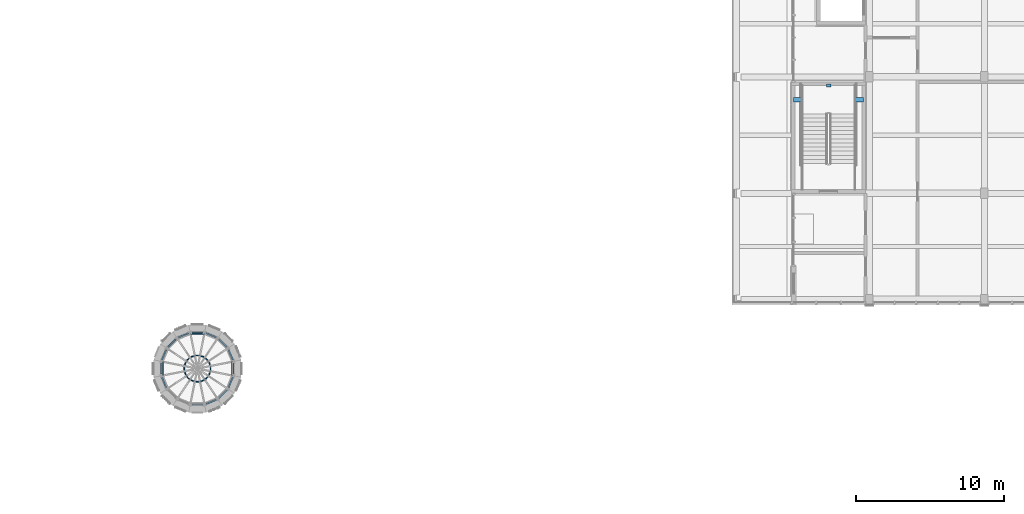
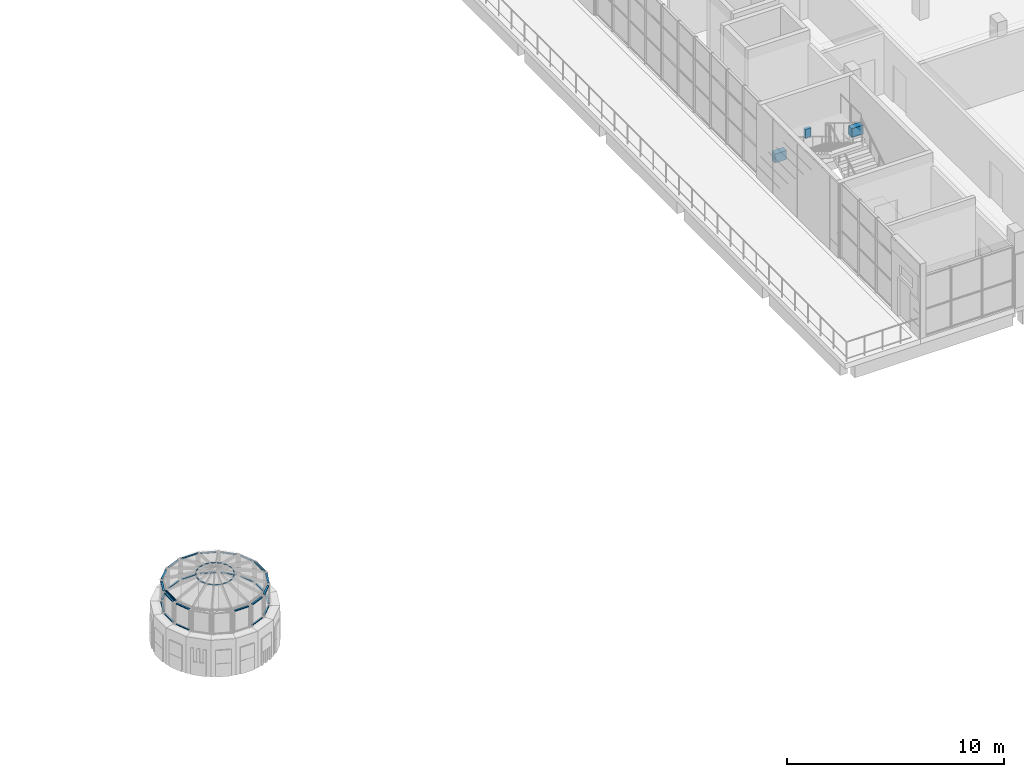
# One storey, part 17 of 36: 46 members, 3 beams, 14 elements without a shape of their own.
"""IFC4 building model written with IfcOpenShell, lengths in metres."""

import ifcopenshell
import ifcopenshell.guid

model = None  # the IFC model being written
_history = None  # IfcOwnerHistory: only IFC2X3 demands one
_inside = {}  # id of a spatial element -> (the spatial element, [elements in it])
_under = {}  # id of a project, library or spatial element -> (it, [spatial elements below it])
_declared = {}  # id of a project -> (the project, [libraries it declares])
_typed = {}  # id of a type object -> (the type object, [elements of that type])
_made_of = {}  # id of a material, layer set ... -> (it, [elements and type objects made of it])


def new_model(schema):
    """Start an empty IFC model of exactly this schema.

    Asked for "IFC4X3", IfcOpenShell would pick the latest addendum, in which some entities
    have other attributes; the version numbers below select the first issue.
    IFC2X3 requires an IfcOwnerHistory on every rooted entity: one is made here for all.
    """
    global model, _history
    if schema == "IFC4X3":
        model = ifcopenshell.file(schema_version=(4, 3, 0, 0))
    else:
        model = ifcopenshell.file(schema=schema)
    _inside.clear()
    _under.clear()
    _declared.clear()
    _typed.clear()
    _made_of.clear()
    _history = None
    if model.schema == "IFC2X3":
        org = make("IfcOrganization", Name="unknown")
        user = make(
            "IfcPersonAndOrganization",
            ThePerson=make("IfcPerson", FamilyName="unknown"),
            TheOrganization=org,
        )
        app = make(
            "IfcApplication",
            ApplicationDeveloper=org,
            Version="unknown",
            ApplicationFullName="unknown",
            ApplicationIdentifier="unknown",
        )
        _history = make(
            "IfcOwnerHistory",
            OwningUser=user,
            OwningApplication=app,
            ChangeAction="ADDED",
            CreationDate=0,
        )
    return model


def make(cls, **values):
    """One entity of the class cls with the attributes given. An attribute that is None is left unset."""
    return model.create_entity(
        cls, **{name: value for name, value in values.items() if value is not None}
    )


def rooted(cls, **values):
    """An entity with a GlobalId (a new one), such as an element, a storey or a relation."""
    return make(cls, GlobalId=ifcopenshell.guid.new(), OwnerHistory=_history, **values)


def si_unit(unit_type, name, prefix=None):
    """IfcSIUnit, for example si_unit("LENGTHUNIT", "METRE", prefix="MILLI")."""
    return make("IfcSIUnit", UnitType=unit_type, Prefix=prefix, Name=name)


def assignment(units):
    """IfcUnitAssignment: the units of a project."""
    return None if units is None else make("IfcUnitAssignment", Units=units)


def point(xyz):
    """IfcCartesianPoint."""
    return None if xyz is None else make("IfcCartesianPoint", Coordinates=xyz)


def direction(xyz):
    """IfcDirection."""
    return None if xyz is None else make("IfcDirection", DirectionRatios=xyz)


def frame(location, z_axis=None, x_axis=None):
    """IfcAxis2Placement3D, a coordinate frame: its origin and axes. An axis left out is left unset."""
    return make(
        "IfcAxis2Placement3D",
        Location=point(location),
        Axis=direction(z_axis),
        RefDirection=direction(x_axis),
    )


def frame_2d(location, x_axis=None):
    """IfcAxis2Placement2D, a coordinate frame in the plane: its origin and x axis."""
    return make(
        "IfcAxis2Placement2D", Location=point(location), RefDirection=direction(x_axis)
    )


def origin():
    """The frame at (0, 0, 0) with its axes left unset."""
    return frame((0.0, 0.0, 0.0))


def origin_2d():
    """The frame at (0, 0) in the plane with its x axis left unset."""
    return frame_2d((0.0, 0.0))


def place(relative_to, where):
    """IfcLocalPlacement: puts the frame where relative to a parent placement (None: the world)."""
    return make(
        "IfcLocalPlacement", PlacementRelTo=relative_to, RelativePlacement=where
    )


def context(
    kind, dimensions, precision=None, world=None, true_north=None, identifier=None
):
    """IfcGeometricRepresentationContext, for example the 3D "Model" context."""
    return make(
        "IfcGeometricRepresentationContext",
        ContextIdentifier=identifier,
        ContextType=kind,
        CoordinateSpaceDimension=dimensions,
        Precision=precision,
        WorldCoordinateSystem=world,
        TrueNorth=true_north,
    )


def subcontext(parent, identifier, kind, view, scale=None):
    """IfcGeometricRepresentationSubContext, for example "Body" below "Model"."""
    return make(
        "IfcGeometricRepresentationSubContext",
        ContextIdentifier=identifier,
        ContextType=kind,
        ParentContext=parent,
        TargetScale=scale,
        TargetView=view,
    )


def project(units=None, contexts=None):
    """IfcProject with its units and contexts."""
    return rooted(
        "IfcProject",
        Name="project",
        RepresentationContexts=contexts,
        UnitsInContext=assignment(units),
    )


def spatial(cls, under=None, at=None, **own):
    """A site, building, storey or space (cls), placed at a placement, below another one or the project."""
    s = rooted(cls, ObjectPlacement=at, **own)
    if under is not None:
        _under.setdefault(under.id(), (under, []))[1].append(s)
    return s


def profile(cls, at=None, kind="AREA", **sizes):
    """A parametric profile (cls). Its sizes go by their IFC names, for example OverallWidth=200.0."""
    return make(cls, ProfileType=kind, Position=at, **sizes)


def rectangle(**sizes):
    """IfcRectangleProfileDef."""
    return profile("IfcRectangleProfileDef", **sizes)


def hollow_rectangle(**sizes):
    """IfcRectangleHollowProfileDef."""
    return profile("IfcRectangleHollowProfileDef", **sizes)


def hollow_circle(**sizes):
    """IfcCircleHollowProfileDef."""
    return profile("IfcCircleHollowProfileDef", **sizes)


def extrude(swept, where, along, depth):
    """IfcExtrudedAreaSolid: the profile swept, set in the frame where, extruded along a direction by depth."""
    return make(
        "IfcExtrudedAreaSolid",
        SweptArea=swept,
        Position=where,
        ExtrudedDirection=direction(along),
        Depth=depth,
    )


def shape(context_of_items, identifier, shape_type, items):
    """IfcShapeRepresentation: the items that make up one representation, for example the "Body"."""
    return make(
        "IfcShapeRepresentation",
        ContextOfItems=context_of_items,
        RepresentationIdentifier=identifier,
        RepresentationType=shape_type,
        Items=items,
    )


def material(Name=None, Category=None):
    """IfcMaterial."""
    return make("IfcMaterial", Name=Name, Category=Category)


def material_profile(
    of_material, cross_section, Name=None, Category=None, Priority=None
):
    """IfcMaterialProfile: a cross section and its material."""
    return make(
        "IfcMaterialProfile",
        Name=Name,
        Material=of_material,
        Profile=cross_section,
        Priority=Priority,
        Category=Category,
    )


def profile_set(profiles, Name=None, composite=None):
    """IfcMaterialProfileSet."""
    return make(
        "IfcMaterialProfileSet",
        Name=Name,
        MaterialProfiles=profiles,
        CompositeProfile=composite,
    )


def made_of(thing, what):
    """Note that an element or type object is made of a material, layer set ...; save() writes the relation."""
    if what is not None:
        _made_of.setdefault(what.id(), (what, []))[1].append(thing)
    return thing


def type_object(cls, material=None, **own):
    """A type object (cls), such as IfcWallType, which elements share."""
    return made_of(rooted(cls, **own), material)


def element(
    cls,
    number,
    at=None,
    inside=None,
    cuts=None,
    type_object=None,
    material=None,
    context=None,
    identifier="Body",
    shape_type=None,
    held_by="IfcProductDefinitionShape",
    body=None,
    shapes=None,
    **own,
):
    """One element of the class cls, such as IfcWall. Its Tag is "e" and its number.

    at: its placement. inside: the storey or other place that contains it. cuts: it is an
    opening in that element (IfcRelVoidsElement). A single representation is given by context,
    identifier, shape_type and body (its items); several are given by shapes. held_by: the class
    of the entity that holds the representations. save() writes the other relations.
    """
    e = rooted(cls, Tag="e%d" % number, ObjectPlacement=at, **own)
    if body is not None:
        shapes = [shape(context, identifier, shape_type, body)]
    if shapes is not None:
        e.Representation = make(held_by, Representations=shapes)
    if inside is not None:
        _inside.setdefault(inside.id(), (inside, []))[1].append(e)
    if cuts is not None:
        rooted(
            "IfcRelVoidsElement", RelatingBuildingElement=cuts, RelatedOpeningElement=e
        )
    if type_object is not None:
        _typed.setdefault(type_object.id(), (type_object, []))[1].append(e)
    return made_of(e, material)


def aggregate(whole, parts):
    """IfcRelAggregates: a whole, such as a stair, and the parts it consists of."""
    return rooted("IfcRelAggregates", RelatingObject=whole, RelatedObjects=parts)


def save(model, path):
    """Write the relations noted so far, then the file.

    IfcRelAggregates (storeys below a building ...), IfcRelContainedInSpatialStructure (elements
    in a storey), IfcRelDefinesByType, IfcRelAssociatesMaterial and IfcRelDeclares: one each for
    every whole, place, type object, material and project.
    """
    for whole, parts in _under.values():
        aggregate(whole, parts)
    for where, things in _inside.values():
        rooted(
            "IfcRelContainedInSpatialStructure",
            RelatedElements=things,
            RelatingStructure=where,
        )
    for kind, things in _typed.values():
        rooted("IfcRelDefinesByType", RelatedObjects=things, RelatingType=kind)
    for what, things in _made_of.values():
        rooted("IfcRelAssociatesMaterial", RelatedObjects=things, RelatingMaterial=what)
    for by, libraries in _declared.values():
        rooted("IfcRelDeclares", RelatingContext=by, RelatedDefinitions=libraries)
    model.write(path)


model = new_model("IFC4")

# Units and contexts
model_context = context("Model", 3, precision=1e-05, world=origin(), true_north=direction((0.0, 1.0)))
body_context = subcontext(model_context, "Body", "Model", "MODEL_VIEW")
ifc_project = project(units=[si_unit("LENGTHUNIT", "METRE"), si_unit("AREAUNIT", "SQUARE_METRE"), si_unit("VOLUMEUNIT", "CUBIC_METRE"), si_unit("PLANEANGLEUNIT", "RADIAN"), si_unit("MASSUNIT", "GRAM", prefix="KILO")], contexts=[model_context])

# Site, building, storey
site_placement = place(None, origin())
site = spatial("IfcSite", under=ifc_project, at=site_placement, CompositionType="ELEMENT")
building_placement = place(site_placement, origin())
building = spatial("IfcBuilding", under=site, at=building_placement, Name="Sun Court Science Centre", CompositionType="ELEMENT")
storey_placement = place(building_placement, frame((0.0, 0.0, 24.75)))
storey = spatial("IfcBuildingStorey", under=building, at=storey_placement, Name="L05", CompositionType="ELEMENT", Elevation=24.75)

# Curtain wall, members
ifc_material_1 = material(Name="Aluminium EN AW-6063 T6", Category="aluminium")
curtain_wall_type = type_object("IfcCurtainWallType", Name="Lantern clerestory curtain wall 1500", PredefinedType="NOTDEFINED", material=ifc_material_1)
curtain_wall_1_placement = place(storey_placement, origin())
curtain_wall_1 = element("IfcCurtainWall", 1, at=curtain_wall_1_placement, inside=storey, type_object=curtain_wall_type, Name="Curtain wall V2 C4 clerestory L05 01", PredefinedType="NOTDEFINED")
ifc_material_2 = material(Name="Aluminium EN AW-6063 T6", Category="aluminium")
ifc_material_profile_1 = material_profile(ifc_material_2, hollow_rectangle(XDim=0.050048828125, YDim=0.10009765625, WallThickness=0.00390625, InnerFilletRadius=0.00390625, OuterFilletRadius=0.006103515625, at=origin_2d()), Name="AL 50x100x4")
ifc_profile_set_1 = profile_set([ifc_material_profile_1], Name="Aluminium EN AW-6063 T6")
member_type_1 = type_object("IfcMemberType", Name="Curtain wall transom AL 50x100", PredefinedType="USERDEFINED", material=ifc_profile_set_1)
member_1_placement = place(storey_placement, frame((44.1015625, 25.477783203125, 1.77490234375), z_axis=(0.382771969167, -0.923842854397, 0.0), x_axis=(0.0, 0.0, 1.0)))
member_1 = element("IfcMember", 2, at=member_1_placement, type_object=member_type_1, Name="CW4-49 transom 1.1", ObjectType="TRANSOM", PredefinedType="USERDEFINED", context=body_context, shape_type="SweptSolid", body=[
    extrude(hollow_rectangle(XDim=0.050048828125, YDim=0.10009765625, WallThickness=0.00390625, InnerFilletRadius=0.00390625, OuterFilletRadius=0.006103515625, at=origin_2d()), origin(), (0.0, 0.0, 1.0), 0.752685546875),
])
member_2_placement = place(storey_placement, frame((44.1015625, 25.477783203125, 2.925048828125), z_axis=(0.382771969167, -0.923842854397, 0.0), x_axis=(0.0, 0.0, 1.0)))
member_2 = element("IfcMember", 3, at=member_2_placement, type_object=member_type_1, Name="CW4-49 transom 1.2", ObjectType="TRANSOM", PredefinedType="USERDEFINED", context=body_context, shape_type="SweptSolid", body=[
    extrude(hollow_rectangle(XDim=0.050048828125, YDim=0.10009765625, WallThickness=0.00390625, InnerFilletRadius=0.00390625, OuterFilletRadius=0.006103515625, at=origin_2d()), origin(), (0.0, 0.0, 1.0), 0.752685546875),
])
aggregate(curtain_wall_1, [member_1, member_2])

curtain_wall_2_placement = place(storey_placement, origin())
curtain_wall_2 = element("IfcCurtainWall", 4, at=curtain_wall_2_placement, inside=storey, type_object=curtain_wall_type, Name="Curtain wall V2 C4 clerestory L05 02", PredefinedType="NOTDEFINED")
member_3_placement = place(storey_placement, frame((43.45263671875, 26.184814453125, 1.77490234375), z_axis=(0.707106781187, -0.707106781187, 0.0), x_axis=(0.0, 0.0, 1.0)))
member_3 = element("IfcMember", 5, at=member_3_placement, type_object=member_type_1, Name="CW4-50 transom 1.1", ObjectType="TRANSOM", PredefinedType="USERDEFINED", context=body_context, shape_type="SweptSolid", body=[
    extrude(hollow_rectangle(XDim=0.050048828125, YDim=0.10009765625, WallThickness=0.00390625, InnerFilletRadius=0.00390625, OuterFilletRadius=0.006103515625, at=origin_2d()), origin(), (0.0, 0.0, 1.0), 0.752685546875),
])
member_4_placement = place(storey_placement, frame((43.45263671875, 26.184814453125, 2.925048828125), z_axis=(0.707106781187, -0.707106781187, 0.0), x_axis=(0.0, 0.0, 1.0)))
member_4 = element("IfcMember", 6, at=member_4_placement, type_object=member_type_1, Name="CW4-50 transom 1.2", ObjectType="TRANSOM", PredefinedType="USERDEFINED", context=body_context, shape_type="SweptSolid", body=[
    extrude(hollow_rectangle(XDim=0.050048828125, YDim=0.10009765625, WallThickness=0.00390625, InnerFilletRadius=0.00390625, OuterFilletRadius=0.006103515625, at=origin_2d()), origin(), (0.0, 0.0, 1.0), 0.752685546875),
])
aggregate(curtain_wall_2, [member_3, member_4])

curtain_wall_3_placement = place(storey_placement, origin())
curtain_wall_3 = element("IfcCurtainWall", 7, at=curtain_wall_3_placement, inside=storey, type_object=curtain_wall_type, Name="Curtain wall V2 C4 clerestory L05 03", PredefinedType="NOTDEFINED")
member_5_placement = place(storey_placement, frame((42.58251953125, 26.589599609375, 1.77490234375), z_axis=(0.923842854397, -0.382771969167, 0.0), x_axis=(0.0, 0.0, 1.0)))
member_5 = element("IfcMember", 8, at=member_5_placement, type_object=member_type_1, Name="CW4-51 transom 1.1", ObjectType="TRANSOM", PredefinedType="USERDEFINED", context=body_context, shape_type="SweptSolid", body=[
    extrude(hollow_rectangle(XDim=0.050048828125, YDim=0.10009765625, WallThickness=0.00390625, InnerFilletRadius=0.00390625, OuterFilletRadius=0.006103515625, at=origin_2d()), origin(), (0.0, 0.0, 1.0), 0.752685546875),
])
member_6_placement = place(storey_placement, frame((42.58251953125, 26.589599609375, 2.925048828125), z_axis=(0.923842854397, -0.382771969167, 0.0), x_axis=(0.0, 0.0, 1.0)))
member_6 = element("IfcMember", 9, at=member_6_placement, type_object=member_type_1, Name="CW4-51 transom 1.2", ObjectType="TRANSOM", PredefinedType="USERDEFINED", context=body_context, shape_type="SweptSolid", body=[
    extrude(hollow_rectangle(XDim=0.050048828125, YDim=0.10009765625, WallThickness=0.00390625, InnerFilletRadius=0.00390625, OuterFilletRadius=0.006103515625, at=origin_2d()), origin(), (0.0, 0.0, 1.0), 0.752685546875),
])
aggregate(curtain_wall_3, [member_5, member_6])

curtain_wall_4_placement = place(storey_placement, origin())
curtain_wall_4 = element("IfcCurtainWall", 10, at=curtain_wall_4_placement, inside=storey, type_object=curtain_wall_type, Name="Curtain wall V2 C4 clerestory L05 04", PredefinedType="NOTDEFINED")
member_7_placement = place(storey_placement, frame((41.623779296875, 26.630615234375, 1.77490234375), z_axis=(1.0, 0.0, 0.0), x_axis=(0.0, 0.0, 1.0)))
member_7 = element("IfcMember", 11, at=member_7_placement, type_object=member_type_1, Name="CW4-52 transom 1.1", ObjectType="TRANSOM", PredefinedType="USERDEFINED", context=body_context, shape_type="SweptSolid", body=[
    extrude(hollow_rectangle(XDim=0.050048828125, YDim=0.10009765625, WallThickness=0.00390625, InnerFilletRadius=0.00390625, OuterFilletRadius=0.006103515625, at=origin_2d()), origin(), (0.0, 0.0, 1.0), 0.75244140625),
])
member_8_placement = place(storey_placement, frame((41.623779296875, 26.630615234375, 2.925048828125), z_axis=(1.0, 0.0, 0.0), x_axis=(0.0, 0.0, 1.0)))
member_8 = element("IfcMember", 12, at=member_8_placement, type_object=member_type_1, Name="CW4-52 transom 1.2", ObjectType="TRANSOM", PredefinedType="USERDEFINED", context=body_context, shape_type="SweptSolid", body=[
    extrude(hollow_rectangle(XDim=0.050048828125, YDim=0.10009765625, WallThickness=0.00390625, InnerFilletRadius=0.00390625, OuterFilletRadius=0.006103515625, at=origin_2d()), origin(), (0.0, 0.0, 1.0), 0.75244140625),
])
aggregate(curtain_wall_4, [member_7, member_8])

curtain_wall_5_placement = place(storey_placement, origin())
curtain_wall_5 = element("IfcCurtainWall", 13, at=curtain_wall_5_placement, inside=storey, type_object=curtain_wall_type, Name="Curtain wall V2 C4 clerestory L05 05", PredefinedType="NOTDEFINED")
member_9_placement = place(storey_placement, frame((40.72216796875, 26.301513671875, 1.77490234375), z_axis=(0.923842854397, 0.382771969167, 0.0), x_axis=(0.0, 0.0, 1.0)))
member_9 = element("IfcMember", 14, at=member_9_placement, type_object=member_type_1, Name="CW4-53 transom 1.1", ObjectType="TRANSOM", PredefinedType="USERDEFINED", context=body_context, shape_type="SweptSolid", body=[
    extrude(hollow_rectangle(XDim=0.050048828125, YDim=0.10009765625, WallThickness=0.00390625, InnerFilletRadius=0.00390625, OuterFilletRadius=0.006103515625, at=origin_2d()), origin(), (0.0, 0.0, 1.0), 0.752685546875),
])
member_10_placement = place(storey_placement, frame((40.72216796875, 26.301513671875, 2.925048828125), z_axis=(0.923842854397, 0.382771969167, 0.0), x_axis=(0.0, 0.0, 1.0)))
member_10 = element("IfcMember", 15, at=member_10_placement, type_object=member_type_1, Name="CW4-53 transom 1.2", ObjectType="TRANSOM", PredefinedType="USERDEFINED", context=body_context, shape_type="SweptSolid", body=[
    extrude(hollow_rectangle(XDim=0.050048828125, YDim=0.10009765625, WallThickness=0.00390625, InnerFilletRadius=0.00390625, OuterFilletRadius=0.006103515625, at=origin_2d()), origin(), (0.0, 0.0, 1.0), 0.752685546875),
])
aggregate(curtain_wall_5, [member_9, member_10])

curtain_wall_6_placement = place(storey_placement, origin())
curtain_wall_6 = element("IfcCurtainWall", 16, at=curtain_wall_6_placement, inside=storey, type_object=curtain_wall_type, Name="Curtain wall V2 C4 clerestory L05 06", PredefinedType="NOTDEFINED")
member_11_placement = place(storey_placement, frame((40.01513671875, 25.652587890625, 1.77490234375), z_axis=(0.707106781187, 0.707106781187, 0.0), x_axis=(0.0, 0.0, 1.0)))
member_11 = element("IfcMember", 17, at=member_11_placement, type_object=member_type_1, Name="CW4-54 transom 1.1", ObjectType="TRANSOM", PredefinedType="USERDEFINED", context=body_context, shape_type="SweptSolid", body=[
    extrude(hollow_rectangle(XDim=0.050048828125, YDim=0.10009765625, WallThickness=0.00390625, InnerFilletRadius=0.00390625, OuterFilletRadius=0.006103515625, at=origin_2d()), origin(), (0.0, 0.0, 1.0), 0.752685546875),
])
member_12_placement = place(storey_placement, frame((40.01513671875, 25.652587890625, 2.925048828125), z_axis=(0.707106781187, 0.707106781187, 0.0), x_axis=(0.0, 0.0, 1.0)))
member_12 = element("IfcMember", 18, at=member_12_placement, type_object=member_type_1, Name="CW4-54 transom 1.2", ObjectType="TRANSOM", PredefinedType="USERDEFINED", context=body_context, shape_type="SweptSolid", body=[
    extrude(hollow_rectangle(XDim=0.050048828125, YDim=0.10009765625, WallThickness=0.00390625, InnerFilletRadius=0.00390625, OuterFilletRadius=0.006103515625, at=origin_2d()), origin(), (0.0, 0.0, 1.0), 0.752685546875),
])
aggregate(curtain_wall_6, [member_11, member_12])

curtain_wall_7_placement = place(storey_placement, origin())
curtain_wall_7 = element("IfcCurtainWall", 19, at=curtain_wall_7_placement, inside=storey, type_object=curtain_wall_type, Name="Curtain wall V2 C4 clerestory L05 07", PredefinedType="NOTDEFINED")
member_13_placement = place(storey_placement, frame((39.6103515625, 24.782470703125, 1.77490234375), z_axis=(0.382771969167, 0.923842854397, 0.0), x_axis=(0.0, 0.0, 1.0)))
member_13 = element("IfcMember", 20, at=member_13_placement, type_object=member_type_1, Name="CW4-55 transom 1.1", ObjectType="TRANSOM", PredefinedType="USERDEFINED", context=body_context, shape_type="SweptSolid", body=[
    extrude(hollow_rectangle(XDim=0.050048828125, YDim=0.10009765625, WallThickness=0.00390625, InnerFilletRadius=0.00390625, OuterFilletRadius=0.006103515625, at=origin_2d()), origin(), (0.0, 0.0, 1.0), 0.752685546875),
])
member_14_placement = place(storey_placement, frame((39.6103515625, 24.782470703125, 2.925048828125), z_axis=(0.382771969167, 0.923842854397, 0.0), x_axis=(0.0, 0.0, 1.0)))
member_14 = element("IfcMember", 21, at=member_14_placement, type_object=member_type_1, Name="CW4-55 transom 1.2", ObjectType="TRANSOM", PredefinedType="USERDEFINED", context=body_context, shape_type="SweptSolid", body=[
    extrude(hollow_rectangle(XDim=0.050048828125, YDim=0.10009765625, WallThickness=0.00390625, InnerFilletRadius=0.00390625, OuterFilletRadius=0.006103515625, at=origin_2d()), origin(), (0.0, 0.0, 1.0), 0.752685546875),
])
aggregate(curtain_wall_7, [member_13, member_14])

curtain_wall_8_placement = place(storey_placement, origin())
curtain_wall_8 = element("IfcCurtainWall", 22, at=curtain_wall_8_placement, inside=storey, type_object=curtain_wall_type, Name="Curtain wall V2 C4 clerestory L05 08", PredefinedType="NOTDEFINED")
member_15_placement = place(storey_placement, frame((39.5693359375, 23.82373046875, 1.77490234375), z_axis=(0.0, 1.0, 0.0), x_axis=(0.0, 0.0, 1.0)))
member_15 = element("IfcMember", 23, at=member_15_placement, type_object=member_type_1, Name="CW4-56 transom 1.1", ObjectType="TRANSOM", PredefinedType="USERDEFINED", context=body_context, shape_type="SweptSolid", body=[
    extrude(hollow_rectangle(XDim=0.050048828125, YDim=0.10009765625, WallThickness=0.00390625, InnerFilletRadius=0.00390625, OuterFilletRadius=0.006103515625, at=origin_2d()), origin(), (0.0, 0.0, 1.0), 0.752685546875),
])
member_16_placement = place(storey_placement, frame((39.5693359375, 23.82373046875, 2.925048828125), z_axis=(0.0, 1.0, 0.0), x_axis=(0.0, 0.0, 1.0)))
member_16 = element("IfcMember", 24, at=member_16_placement, type_object=member_type_1, Name="CW4-56 transom 1.2", ObjectType="TRANSOM", PredefinedType="USERDEFINED", context=body_context, shape_type="SweptSolid", body=[
    extrude(hollow_rectangle(XDim=0.050048828125, YDim=0.10009765625, WallThickness=0.00390625, InnerFilletRadius=0.00390625, OuterFilletRadius=0.006103515625, at=origin_2d()), origin(), (0.0, 0.0, 1.0), 0.752685546875),
])
aggregate(curtain_wall_8, [member_15, member_16])

curtain_wall_9_placement = place(storey_placement, origin())
curtain_wall_9 = element("IfcCurtainWall", 25, at=curtain_wall_9_placement, inside=storey, type_object=curtain_wall_type, Name="Curtain wall V2 C4 clerestory L05 09", PredefinedType="NOTDEFINED")
member_17_placement = place(storey_placement, frame((39.8984375, 22.922119140625, 1.77490234375), z_axis=(-0.382771969167, 0.923842854397, 0.0), x_axis=(0.0, 0.0, 1.0)))
member_17 = element("IfcMember", 26, at=member_17_placement, type_object=member_type_1, Name="CW4-57 transom 1.1", ObjectType="TRANSOM", PredefinedType="USERDEFINED", context=body_context, shape_type="SweptSolid", body=[
    extrude(hollow_rectangle(XDim=0.050048828125, YDim=0.10009765625, WallThickness=0.00390625, InnerFilletRadius=0.00390625, OuterFilletRadius=0.006103515625, at=origin_2d()), origin(), (0.0, 0.0, 1.0), 0.752685546875),
])
member_18_placement = place(storey_placement, frame((39.8984375, 22.922119140625, 2.925048828125), z_axis=(-0.382771969167, 0.923842854397, 0.0), x_axis=(0.0, 0.0, 1.0)))
member_18 = element("IfcMember", 27, at=member_18_placement, type_object=member_type_1, Name="CW4-57 transom 1.2", ObjectType="TRANSOM", PredefinedType="USERDEFINED", context=body_context, shape_type="SweptSolid", body=[
    extrude(hollow_rectangle(XDim=0.050048828125, YDim=0.10009765625, WallThickness=0.00390625, InnerFilletRadius=0.00390625, OuterFilletRadius=0.006103515625, at=origin_2d()), origin(), (0.0, 0.0, 1.0), 0.752685546875),
])
aggregate(curtain_wall_9, [member_17, member_18])

# Curtain wall, member
curtain_wall_10_placement = place(storey_placement, origin())
curtain_wall_10 = element("IfcCurtainWall", 28, at=curtain_wall_10_placement, inside=storey, type_object=curtain_wall_type, Name="Curtain wall V2 C4 clerestory L05 12", PredefinedType="NOTDEFINED")
member_19_placement = place(storey_placement, frame((42.376220703125, 21.769287109375, 2.925048828125), z_axis=(-1.0, 0.0, 0.0), x_axis=(0.0, 0.0, 1.0)))
member_19 = element("IfcMember", 29, at=member_19_placement, type_object=member_type_1, Name="CW4-60 transom 1.2", ObjectType="TRANSOM", PredefinedType="USERDEFINED", context=body_context, shape_type="SweptSolid", body=[
    extrude(hollow_rectangle(XDim=0.050048828125, YDim=0.10009765625, WallThickness=0.00390625, InnerFilletRadius=0.00390625, OuterFilletRadius=0.006103515625, at=origin_2d()), origin(), (0.0, 0.0, 1.0), 0.75244140625),
])
aggregate(curtain_wall_10, [member_19])

# Curtain wall, members
curtain_wall_11_placement = place(storey_placement, origin())
curtain_wall_11 = element("IfcCurtainWall", 30, at=curtain_wall_11_placement, inside=storey, type_object=curtain_wall_type, Name="Curtain wall V2 C4 clerestory L05 13", PredefinedType="NOTDEFINED")
member_20_placement = place(storey_placement, frame((43.27783203125, 22.098388671875, 1.77490234375), z_axis=(-0.923842854397, -0.382771969167, 0.0), x_axis=(0.0, 0.0, 1.0)))
member_20 = element("IfcMember", 31, at=member_20_placement, type_object=member_type_1, Name="CW4-61 transom 1.1", ObjectType="TRANSOM", PredefinedType="USERDEFINED", context=body_context, shape_type="SweptSolid", body=[
    extrude(hollow_rectangle(XDim=0.050048828125, YDim=0.10009765625, WallThickness=0.00390625, InnerFilletRadius=0.00390625, OuterFilletRadius=0.006103515625, at=origin_2d()), origin(), (0.0, 0.0, 1.0), 0.752685546875),
])
member_21_placement = place(storey_placement, frame((43.27783203125, 22.098388671875, 2.925048828125), z_axis=(-0.923842854397, -0.382771969167, 0.0), x_axis=(0.0, 0.0, 1.0)))
member_21 = element("IfcMember", 32, at=member_21_placement, type_object=member_type_1, Name="CW4-61 transom 1.2", ObjectType="TRANSOM", PredefinedType="USERDEFINED", context=body_context, shape_type="SweptSolid", body=[
    extrude(hollow_rectangle(XDim=0.050048828125, YDim=0.10009765625, WallThickness=0.00390625, InnerFilletRadius=0.00390625, OuterFilletRadius=0.006103515625, at=origin_2d()), origin(), (0.0, 0.0, 1.0), 0.752685546875),
])
aggregate(curtain_wall_11, [member_20, member_21])

curtain_wall_12_placement = place(storey_placement, origin())
curtain_wall_12 = element("IfcCurtainWall", 33, at=curtain_wall_12_placement, inside=storey, type_object=curtain_wall_type, Name="Curtain wall V2 C4 clerestory L05 14", PredefinedType="NOTDEFINED")
member_22_placement = place(storey_placement, frame((43.98486328125, 22.747314453125, 1.77490234375), z_axis=(-0.707106781187, -0.707106781187, 0.0), x_axis=(0.0, 0.0, 1.0)))
member_22 = element("IfcMember", 34, at=member_22_placement, type_object=member_type_1, Name="CW4-62 transom 1.1", ObjectType="TRANSOM", PredefinedType="USERDEFINED", context=body_context, shape_type="SweptSolid", body=[
    extrude(hollow_rectangle(XDim=0.050048828125, YDim=0.10009765625, WallThickness=0.00390625, InnerFilletRadius=0.00390625, OuterFilletRadius=0.006103515625, at=origin_2d()), origin(), (0.0, 0.0, 1.0), 0.752685546875),
])
member_23_placement = place(storey_placement, frame((43.98486328125, 22.747314453125, 2.925048828125), z_axis=(-0.707106781187, -0.707106781187, 0.0), x_axis=(0.0, 0.0, 1.0)))
member_23 = element("IfcMember", 35, at=member_23_placement, type_object=member_type_1, Name="CW4-62 transom 1.2", ObjectType="TRANSOM", PredefinedType="USERDEFINED", context=body_context, shape_type="SweptSolid", body=[
    extrude(hollow_rectangle(XDim=0.050048828125, YDim=0.10009765625, WallThickness=0.00390625, InnerFilletRadius=0.00390625, OuterFilletRadius=0.006103515625, at=origin_2d()), origin(), (0.0, 0.0, 1.0), 0.752685546875),
])
aggregate(curtain_wall_12, [member_22, member_23])

curtain_wall_13_placement = place(storey_placement, origin())
curtain_wall_13 = element("IfcCurtainWall", 36, at=curtain_wall_13_placement, inside=storey, type_object=curtain_wall_type, Name="Curtain wall V2 C4 clerestory L05 15", PredefinedType="NOTDEFINED")
member_24_placement = place(storey_placement, frame((44.3896484375, 23.617431640625, 1.77490234375), z_axis=(-0.382771969167, -0.923842854397, 0.0), x_axis=(0.0, 0.0, 1.0)))
member_24 = element("IfcMember", 37, at=member_24_placement, type_object=member_type_1, Name="CW4-63 transom 1.1", ObjectType="TRANSOM", PredefinedType="USERDEFINED", context=body_context, shape_type="SweptSolid", body=[
    extrude(hollow_rectangle(XDim=0.050048828125, YDim=0.10009765625, WallThickness=0.00390625, InnerFilletRadius=0.00390625, OuterFilletRadius=0.006103515625, at=origin_2d()), origin(), (0.0, 0.0, 1.0), 0.752685546875),
])
member_25_placement = place(storey_placement, frame((44.3896484375, 23.617431640625, 2.925048828125), z_axis=(-0.382771969167, -0.923842854397, 0.0), x_axis=(0.0, 0.0, 1.0)))
member_25 = element("IfcMember", 38, at=member_25_placement, type_object=member_type_1, Name="CW4-63 transom 1.2", ObjectType="TRANSOM", PredefinedType="USERDEFINED", context=body_context, shape_type="SweptSolid", body=[
    extrude(hollow_rectangle(XDim=0.050048828125, YDim=0.10009765625, WallThickness=0.00390625, InnerFilletRadius=0.00390625, OuterFilletRadius=0.006103515625, at=origin_2d()), origin(), (0.0, 0.0, 1.0), 0.752685546875),
])
aggregate(curtain_wall_13, [member_24, member_25])

curtain_wall_14_placement = place(storey_placement, origin())
curtain_wall_14 = element("IfcCurtainWall", 39, at=curtain_wall_14_placement, inside=storey, type_object=curtain_wall_type, Name="Curtain wall V2 C4 clerestory L05 16", PredefinedType="NOTDEFINED")
member_26_placement = place(storey_placement, frame((44.4306640625, 24.576416015625, 1.77490234375), z_axis=(0.0, -1.0, 0.0), x_axis=(0.0, 0.0, 1.0)))
member_26 = element("IfcMember", 40, at=member_26_placement, type_object=member_type_1, Name="CW4-64 transom 1.1", ObjectType="TRANSOM", PredefinedType="USERDEFINED", context=body_context, shape_type="SweptSolid", body=[
    extrude(hollow_rectangle(XDim=0.050048828125, YDim=0.10009765625, WallThickness=0.00390625, InnerFilletRadius=0.00390625, OuterFilletRadius=0.006103515625, at=origin_2d()), origin(), (0.0, 0.0, 1.0), 0.752685546875),
])
member_27_placement = place(storey_placement, frame((44.4306640625, 24.576416015625, 2.925048828125), z_axis=(0.0, -1.0, 0.0), x_axis=(0.0, 0.0, 1.0)))
member_27 = element("IfcMember", 41, at=member_27_placement, type_object=member_type_1, Name="CW4-64 transom 1.2", ObjectType="TRANSOM", PredefinedType="USERDEFINED", context=body_context, shape_type="SweptSolid", body=[
    extrude(hollow_rectangle(XDim=0.050048828125, YDim=0.10009765625, WallThickness=0.00390625, InnerFilletRadius=0.00390625, OuterFilletRadius=0.006103515625, at=origin_2d()), origin(), (0.0, 0.0, 1.0), 0.752685546875),
])
aggregate(curtain_wall_14, [member_26, member_27])

# Members
ifc_material_3 = material(Name="Steel S355", Category="steel")
ifc_material_profile_2 = material_profile(ifc_material_3, hollow_circle(Radius=0.04443359375, WallThickness=0.0048828125, at=origin_2d()), Name="CHS 88.9x5")
ifc_profile_set_2 = profile_set([ifc_material_profile_2], Name="Steel S355")
member_type_2 = type_object("IfcMemberType", Name="Lantern base ring CHS 88.9x5", PredefinedType="CHORD", material=ifc_profile_set_2)
member_28_placement = place(storey_placement, frame((42.4658203125, 26.542236328125, 2.994384765625), z_axis=(-1.0, 0.0, 0.0), x_axis=(0.0, -1.0, 0.0)))
element("IfcMember", 42, at=member_28_placement, inside=storey, type_object=member_type_2, Name="Cone 4 lantern base ring 4", PredefinedType="CHORD", context=body_context, shape_type="SweptSolid", body=[
    extrude(hollow_circle(Radius=0.04443359375, WallThickness=0.0048828125, at=origin_2d()), origin(), (0.0, 0.0, 1.0), 0.931640625),
])
for number, where, z_axis, x_axis, name in (
    (43, (39.65771484375, 24.666015625, 2.994384765625), (0.0, -1.0, 0.0), (1.0, 0.0, 0.0), "Cone 4 lantern base ring 8"),
    (44, (44.34228515625, 23.734130859375, 2.994384765625), (0.0, 1.0, 0.0), (-1.0, 0.0, 0.0), "Cone 4 lantern base ring 16"),
):
    element("IfcMember", number, at=place(storey_placement, frame(where, z_axis=z_axis, x_axis=x_axis)), inside=storey, type_object=member_type_2, Name=name, PredefinedType="CHORD", context=body_context, shape_type="SweptSolid", body=[
        extrude(hollow_circle(Radius=0.04443359375, WallThickness=0.0048828125, at=origin_2d()), origin(), (0.0, 0.0, 1.0), 0.931884765625),
    ])
ifc_material_4 = material(Name="Steel S355", Category="steel")
ifc_material_profile_3 = material_profile(ifc_material_4, hollow_circle(Radius=0.030029296875, WallThickness=0.0048828125, at=origin_2d()), Name="CHS 60.3x5")
ifc_profile_set_3 = profile_set([ifc_material_profile_3], Name="Steel S355")
member_type_3 = type_object("IfcMemberType", Name="Lantern vent ring CHS 60.3x5", PredefinedType="CHORD", material=ifc_profile_set_3)
member_29_placement = place(storey_placement, frame((42.8828125, 24.37548828125, 3.41015625), z_axis=(-0.382986090474, 0.923754109329, 0.0), x_axis=(-0.923754109329, -0.382986090474, 0.0)))
element("IfcMember", 45, at=member_29_placement, inside=storey, type_object=member_type_3, Name="Cone 4 lantern vent ring 1", PredefinedType="CHORD", context=body_context, shape_type="SweptSolid", body=[
    extrude(hollow_circle(Radius=0.030029296875, WallThickness=0.0048828125, at=origin_2d()), origin(), (0.0, 0.0, 1.0), 0.351318359375),
])
member_30_placement = place(storey_placement, frame((42.748291015625, 24.699951171875, 3.41015625), z_axis=(-0.707106781187, 0.707106781187, 0.0), x_axis=(-0.707106781187, -0.707106781187, 0.0)))
element("IfcMember", 46, at=member_30_placement, inside=storey, type_object=member_type_3, Name="Cone 4 lantern vent ring 2", PredefinedType="CHORD", context=body_context, shape_type="SweptSolid", body=[
    extrude(hollow_circle(Radius=0.030029296875, WallThickness=0.0048828125, at=origin_2d()), origin(), (0.0, 0.0, 1.0), 0.35107421875),
])
member_31_placement = place(storey_placement, frame((42.5, 24.9482421875, 3.41015625), z_axis=(-0.923754109329, 0.382986090474, 0.0), x_axis=(-0.382986090474, -0.923754109329, 0.0)))
element("IfcMember", 47, at=member_31_placement, inside=storey, type_object=member_type_3, Name="Cone 4 lantern vent ring 3", PredefinedType="CHORD", context=body_context, shape_type="SweptSolid", body=[
    extrude(hollow_circle(Radius=0.030029296875, WallThickness=0.0048828125, at=origin_2d()), origin(), (0.0, 0.0, 1.0), 0.351318359375),
])
member_32_placement = place(storey_placement, frame((42.175537109375, 25.082763671875, 3.41015625), z_axis=(-1.0, 0.0, 0.0), x_axis=(0.0, -1.0, 0.0)))
element("IfcMember", 48, at=member_32_placement, inside=storey, type_object=member_type_3, Name="Cone 4 lantern vent ring 4", PredefinedType="CHORD", context=body_context, shape_type="SweptSolid", body=[
    extrude(hollow_circle(Radius=0.030029296875, WallThickness=0.0048828125, at=origin_2d()), origin(), (0.0, 0.0, 1.0), 0.35107421875),
])
member_33_placement = place(storey_placement, frame((41.824462890625, 25.082763671875, 3.41015625), z_axis=(-0.923754109329, -0.382986090474, 0.0), x_axis=(0.382986090474, -0.923754109329, 0.0)))
element("IfcMember", 49, at=member_33_placement, inside=storey, type_object=member_type_3, Name="Cone 4 lantern vent ring 5", PredefinedType="CHORD", context=body_context, shape_type="SweptSolid", body=[
    extrude(hollow_circle(Radius=0.030029296875, WallThickness=0.0048828125, at=origin_2d()), origin(), (0.0, 0.0, 1.0), 0.351318359375),
])
member_34_placement = place(storey_placement, frame((41.5, 24.9482421875, 3.41015625), z_axis=(-0.707106781187, -0.707106781187, 0.0), x_axis=(0.707106781187, -0.707106781187, 0.0)))
element("IfcMember", 50, at=member_34_placement, inside=storey, type_object=member_type_3, Name="Cone 4 lantern vent ring 6", PredefinedType="CHORD", context=body_context, shape_type="SweptSolid", body=[
    extrude(hollow_circle(Radius=0.030029296875, WallThickness=0.0048828125, at=origin_2d()), origin(), (0.0, 0.0, 1.0), 0.35107421875),
])
member_35_placement = place(storey_placement, frame((41.251708984375, 24.699951171875, 3.41015625), z_axis=(-0.382986090474, -0.923754109329, 0.0), x_axis=(0.923754109329, -0.382986090474, 0.0)))
element("IfcMember", 51, at=member_35_placement, inside=storey, type_object=member_type_3, Name="Cone 4 lantern vent ring 7", PredefinedType="CHORD", context=body_context, shape_type="SweptSolid", body=[
    extrude(hollow_circle(Radius=0.030029296875, WallThickness=0.0048828125, at=origin_2d()), origin(), (0.0, 0.0, 1.0), 0.351318359375),
])
member_36_placement = place(storey_placement, frame((41.1171875, 24.37548828125, 3.41015625), z_axis=(0.0, -1.0, 0.0), x_axis=(1.0, 0.0, 0.0)))
element("IfcMember", 52, at=member_36_placement, inside=storey, type_object=member_type_3, Name="Cone 4 lantern vent ring 8", PredefinedType="CHORD", context=body_context, shape_type="SweptSolid", body=[
    extrude(hollow_circle(Radius=0.030029296875, WallThickness=0.0048828125, at=origin_2d()), origin(), (0.0, 0.0, 1.0), 0.35107421875),
])
member_37_placement = place(storey_placement, frame((41.1171875, 24.0244140625, 3.41015625), z_axis=(0.382986090474, -0.923754109329, 0.0), x_axis=(0.923754109329, 0.382986090474, 0.0)))
element("IfcMember", 53, at=member_37_placement, inside=storey, type_object=member_type_3, Name="Cone 4 lantern vent ring 9", PredefinedType="CHORD", context=body_context, shape_type="SweptSolid", body=[
    extrude(hollow_circle(Radius=0.030029296875, WallThickness=0.0048828125, at=origin_2d()), origin(), (0.0, 0.0, 1.0), 0.351318359375),
])
for number, where, z_axis, x_axis, name in (
    (54, (41.251708984375, 23.699951171875, 3.41015625), (0.707106781187, -0.707106781187, 0.0), (0.707106781187, 0.707106781187, 0.0), "Cone 4 lantern vent ring 10"),
    (55, (41.5, 23.45166015625, 3.41015625), (0.923999891182, -0.38239273149, 0.0), (0.38239273149, 0.923999891182, 0.0), "Cone 4 lantern vent ring 11"),
    (56, (41.824462890625, 23.3173828125, 3.41015625), (1.0, 0.0, 0.0), (0.0, 1.0, 0.0), "Cone 4 lantern vent ring 12"),
    (57, (42.175537109375, 23.3173828125, 3.41015625), (0.923999891182, 0.38239273149, 0.0), (-0.38239273149, 0.923999891182, 0.0), "Cone 4 lantern vent ring 13"),
    (58, (42.5, 23.45166015625, 3.41015625), (0.707106781187, 0.707106781187, 0.0), (-0.707106781187, 0.707106781187, 0.0), "Cone 4 lantern vent ring 14"),
):
    element("IfcMember", number, at=place(storey_placement, frame(where, z_axis=z_axis, x_axis=x_axis)), inside=storey, type_object=member_type_3, Name=name, PredefinedType="CHORD", context=body_context, shape_type="SweptSolid", body=[
        extrude(hollow_circle(Radius=0.030029296875, WallThickness=0.0048828125, at=origin_2d()), origin(), (0.0, 0.0, 1.0), 0.35107421875),
    ])
member_38_placement = place(storey_placement, frame((42.748291015625, 23.699951171875, 3.41015625), z_axis=(0.382986090474, 0.923754109329, 0.0), x_axis=(-0.923754109329, 0.382986090474, 0.0)))
element("IfcMember", 59, at=member_38_placement, inside=storey, type_object=member_type_3, Name="Cone 4 lantern vent ring 15", PredefinedType="CHORD", context=body_context, shape_type="SweptSolid", body=[
    extrude(hollow_circle(Radius=0.030029296875, WallThickness=0.0048828125, at=origin_2d()), origin(), (0.0, 0.0, 1.0), 0.351318359375),
])
member_39_placement = place(storey_placement, frame((42.8828125, 24.0244140625, 3.41015625), z_axis=(0.0, 1.0, 0.0), x_axis=(-1.0, 0.0, 0.0)))
element("IfcMember", 60, at=member_39_placement, inside=storey, type_object=member_type_3, Name="Cone 4 lantern vent ring 16", PredefinedType="CHORD", context=body_context, shape_type="SweptSolid", body=[
    extrude(hollow_circle(Radius=0.030029296875, WallThickness=0.0048828125, at=origin_2d()), origin(), (0.0, 0.0, 1.0), 0.35107421875),
])

# Beams
ifc_material_5 = material(Name="Concrete C25/30", Category="concrete")
ifc_material_profile_4 = material_profile(ifc_material_5, rectangle(XDim=0.300048828125, YDim=0.5, at=origin_2d()), Name="RC 300x500")
ifc_profile_set_4 = profile_set([ifc_material_profile_4], Name="Concrete C25/30")
beam_type = type_object("IfcBeamType", Name="RC landing trimmer 300x500", PredefinedType="BEAM", material=ifc_profile_set_4)
for number, where, z_axis, x_axis, name in (
    (61, (86.85009765625, 42.303955078125, 1.800048828125), (-1.0, 0.0, 0.0), (0.0, -1.0, 0.0), "SL2 landing 1 trimmer beam 28"),
    (62, (82.14990234375, 42.303955078125, 1.800048828125), (1.0, 0.0, 0.0), (0.0, 1.0, 0.0), "SL2 landing 1 trimmer beam 29"),
):
    element("IfcBeam", number, at=place(storey_placement, frame(where, z_axis=z_axis, x_axis=x_axis)), inside=storey, type_object=beam_type, Name=name, PredefinedType="BEAM", context=body_context, shape_type="SweptSolid", body=[
        extrude(rectangle(XDim=0.300048828125, YDim=0.5, at=origin_2d()), origin(), (0.0, 0.0, 1.0), 0.6171875),
    ])
beam_placement = place(storey_placement, frame((84.5, 43.35009765625, 1.800048828125), z_axis=(0.0, -1.0, 0.0), x_axis=(1.0, 0.0, 0.0)))
element("IfcBeam", 63, at=beam_placement, inside=storey, type_object=beam_type, Name="SL2 landing 1 trimmer beam 30", PredefinedType="BEAM", context=body_context, shape_type="SweptSolid", body=[
    extrude(rectangle(XDim=0.300048828125, YDim=0.5, at=origin_2d()), origin(), (0.0, 0.0, 1.0), 0.190185546875),
])

save(model, "model.ifc")
